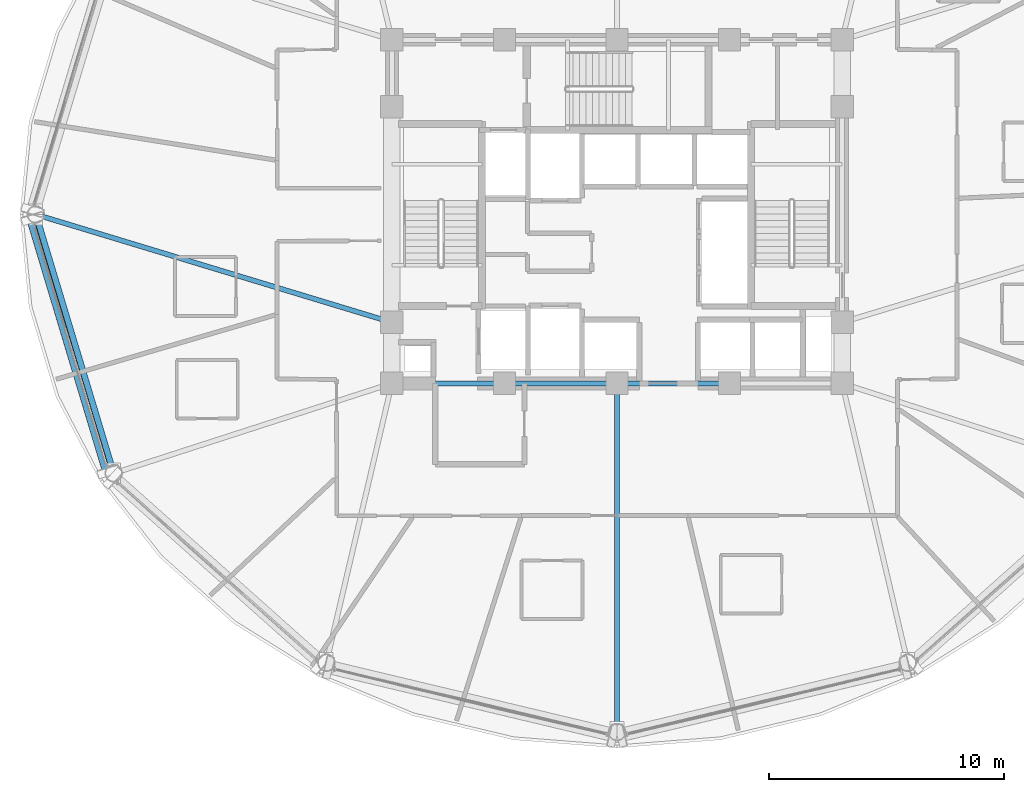
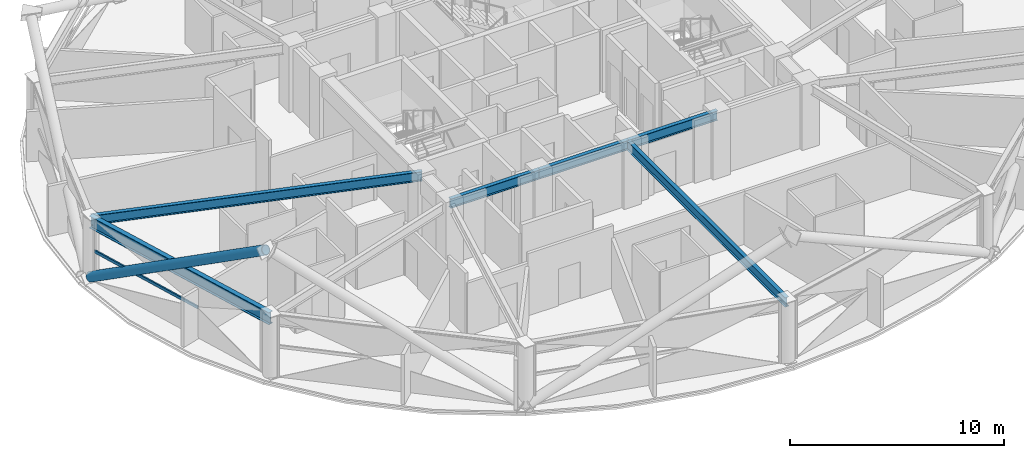
# One storey, part 5 of 29: 6 beams, 2 members, 1 element without a shape of its own.
"""IFC4 building model written with IfcOpenShell, lengths in metres."""

import ifcopenshell
import ifcopenshell.guid

model = None  # the IFC model being written
_history = None  # IfcOwnerHistory: only IFC2X3 demands one
_inside = {}  # id of a spatial element -> (the spatial element, [elements in it])
_under = {}  # id of a project, library or spatial element -> (it, [spatial elements below it])
_declared = {}  # id of a project -> (the project, [libraries it declares])
_typed = {}  # id of a type object -> (the type object, [elements of that type])
_made_of = {}  # id of a material, layer set ... -> (it, [elements and type objects made of it])


def new_model(schema):
    """Start an empty IFC model of exactly this schema.

    Asked for "IFC4X3", IfcOpenShell would pick the latest addendum, in which some entities
    have other attributes; the version numbers below select the first issue.
    IFC2X3 requires an IfcOwnerHistory on every rooted entity: one is made here for all.
    """
    global model, _history
    if schema == "IFC4X3":
        model = ifcopenshell.file(schema_version=(4, 3, 0, 0))
    else:
        model = ifcopenshell.file(schema=schema)
    _inside.clear()
    _under.clear()
    _declared.clear()
    _typed.clear()
    _made_of.clear()
    _history = None
    if model.schema == "IFC2X3":
        org = make("IfcOrganization", Name="unknown")
        user = make(
            "IfcPersonAndOrganization",
            ThePerson=make("IfcPerson", FamilyName="unknown"),
            TheOrganization=org,
        )
        app = make(
            "IfcApplication",
            ApplicationDeveloper=org,
            Version="unknown",
            ApplicationFullName="unknown",
            ApplicationIdentifier="unknown",
        )
        _history = make(
            "IfcOwnerHistory",
            OwningUser=user,
            OwningApplication=app,
            ChangeAction="ADDED",
            CreationDate=0,
        )
    return model


def make(cls, **values):
    """One entity of the class cls with the attributes given. An attribute that is None is left unset."""
    return model.create_entity(
        cls, **{name: value for name, value in values.items() if value is not None}
    )


def rooted(cls, **values):
    """An entity with a GlobalId (a new one), such as an element, a storey or a relation."""
    return make(cls, GlobalId=ifcopenshell.guid.new(), OwnerHistory=_history, **values)


def si_unit(unit_type, name, prefix=None):
    """IfcSIUnit, for example si_unit("LENGTHUNIT", "METRE", prefix="MILLI")."""
    return make("IfcSIUnit", UnitType=unit_type, Prefix=prefix, Name=name)


def assignment(units):
    """IfcUnitAssignment: the units of a project."""
    return None if units is None else make("IfcUnitAssignment", Units=units)


def point(xyz):
    """IfcCartesianPoint."""
    return None if xyz is None else make("IfcCartesianPoint", Coordinates=xyz)


def direction(xyz):
    """IfcDirection."""
    return None if xyz is None else make("IfcDirection", DirectionRatios=xyz)


def frame(location, z_axis=None, x_axis=None):
    """IfcAxis2Placement3D, a coordinate frame: its origin and axes. An axis left out is left unset."""
    return make(
        "IfcAxis2Placement3D",
        Location=point(location),
        Axis=direction(z_axis),
        RefDirection=direction(x_axis),
    )


def frame_2d(location, x_axis=None):
    """IfcAxis2Placement2D, a coordinate frame in the plane: its origin and x axis."""
    return make(
        "IfcAxis2Placement2D", Location=point(location), RefDirection=direction(x_axis)
    )


def origin():
    """The frame at (0, 0, 0) with its axes left unset."""
    return frame((0.0, 0.0, 0.0))


def origin_2d():
    """The frame at (0, 0) in the plane with its x axis left unset."""
    return frame_2d((0.0, 0.0))


def place(relative_to, where):
    """IfcLocalPlacement: puts the frame where relative to a parent placement (None: the world)."""
    return make(
        "IfcLocalPlacement", PlacementRelTo=relative_to, RelativePlacement=where
    )


def context(
    kind, dimensions, precision=None, world=None, true_north=None, identifier=None
):
    """IfcGeometricRepresentationContext, for example the 3D "Model" context."""
    return make(
        "IfcGeometricRepresentationContext",
        ContextIdentifier=identifier,
        ContextType=kind,
        CoordinateSpaceDimension=dimensions,
        Precision=precision,
        WorldCoordinateSystem=world,
        TrueNorth=true_north,
    )


def subcontext(parent, identifier, kind, view, scale=None):
    """IfcGeometricRepresentationSubContext, for example "Body" below "Model"."""
    return make(
        "IfcGeometricRepresentationSubContext",
        ContextIdentifier=identifier,
        ContextType=kind,
        ParentContext=parent,
        TargetScale=scale,
        TargetView=view,
    )


def project(units=None, contexts=None):
    """IfcProject with its units and contexts."""
    return rooted(
        "IfcProject",
        Name="project",
        RepresentationContexts=contexts,
        UnitsInContext=assignment(units),
    )


def spatial(cls, under=None, at=None, **own):
    """A site, building, storey or space (cls), placed at a placement, below another one or the project."""
    s = rooted(cls, ObjectPlacement=at, **own)
    if under is not None:
        _under.setdefault(under.id(), (under, []))[1].append(s)
    return s


def profile(cls, at=None, kind="AREA", **sizes):
    """A parametric profile (cls). Its sizes go by their IFC names, for example OverallWidth=200.0."""
    return make(cls, ProfileType=kind, Position=at, **sizes)


def hollow_rectangle(**sizes):
    """IfcRectangleHollowProfileDef."""
    return profile("IfcRectangleHollowProfileDef", **sizes)


def hollow_circle(**sizes):
    """IfcCircleHollowProfileDef."""
    return profile("IfcCircleHollowProfileDef", **sizes)


def i_section(**sizes):
    """IfcIShapeProfileDef."""
    return profile("IfcIShapeProfileDef", **sizes)


def extrude(swept, where, along, depth):
    """IfcExtrudedAreaSolid: the profile swept, set in the frame where, extruded along a direction by depth."""
    return make(
        "IfcExtrudedAreaSolid",
        SweptArea=swept,
        Position=where,
        ExtrudedDirection=direction(along),
        Depth=depth,
    )


def shape(context_of_items, identifier, shape_type, items):
    """IfcShapeRepresentation: the items that make up one representation, for example the "Body"."""
    return make(
        "IfcShapeRepresentation",
        ContextOfItems=context_of_items,
        RepresentationIdentifier=identifier,
        RepresentationType=shape_type,
        Items=items,
    )


def material(Name=None, Category=None):
    """IfcMaterial."""
    return make("IfcMaterial", Name=Name, Category=Category)


def layer(
    of_material, thickness, ventilated=None, Name=None, Category=None, Priority=None
):
    """IfcMaterialLayer: one layer of a wall or slab, of a material (None: an air gap)."""
    return make(
        "IfcMaterialLayer",
        Material=of_material,
        LayerThickness=thickness,
        IsVentilated=ventilated,
        Name=Name,
        Category=Category,
        Priority=Priority,
    )


def layer_set(layers, Name=None):
    """IfcMaterialLayerSet."""
    return make("IfcMaterialLayerSet", MaterialLayers=layers, LayerSetName=Name)


def material_profile(
    of_material, cross_section, Name=None, Category=None, Priority=None
):
    """IfcMaterialProfile: a cross section and its material."""
    return make(
        "IfcMaterialProfile",
        Name=Name,
        Material=of_material,
        Profile=cross_section,
        Priority=Priority,
        Category=Category,
    )


def profile_set(profiles, Name=None, composite=None):
    """IfcMaterialProfileSet."""
    return make(
        "IfcMaterialProfileSet",
        Name=Name,
        MaterialProfiles=profiles,
        CompositeProfile=composite,
    )


def made_of(thing, what):
    """Note that an element or type object is made of a material, layer set ...; save() writes the relation."""
    if what is not None:
        _made_of.setdefault(what.id(), (what, []))[1].append(thing)
    return thing


def type_object(cls, material=None, **own):
    """A type object (cls), such as IfcWallType, which elements share."""
    return made_of(rooted(cls, **own), material)


def element(
    cls,
    number,
    at=None,
    inside=None,
    cuts=None,
    type_object=None,
    material=None,
    context=None,
    identifier="Body",
    shape_type=None,
    held_by="IfcProductDefinitionShape",
    body=None,
    shapes=None,
    **own,
):
    """One element of the class cls, such as IfcWall. Its Tag is "e" and its number.

    at: its placement. inside: the storey or other place that contains it. cuts: it is an
    opening in that element (IfcRelVoidsElement). A single representation is given by context,
    identifier, shape_type and body (its items); several are given by shapes. held_by: the class
    of the entity that holds the representations. save() writes the other relations.
    """
    e = rooted(cls, Tag="e%d" % number, ObjectPlacement=at, **own)
    if body is not None:
        shapes = [shape(context, identifier, shape_type, body)]
    if shapes is not None:
        e.Representation = make(held_by, Representations=shapes)
    if inside is not None:
        _inside.setdefault(inside.id(), (inside, []))[1].append(e)
    if cuts is not None:
        rooted(
            "IfcRelVoidsElement", RelatingBuildingElement=cuts, RelatedOpeningElement=e
        )
    if type_object is not None:
        _typed.setdefault(type_object.id(), (type_object, []))[1].append(e)
    return made_of(e, material)


def aggregate(whole, parts):
    """IfcRelAggregates: a whole, such as a stair, and the parts it consists of."""
    return rooted("IfcRelAggregates", RelatingObject=whole, RelatedObjects=parts)


def save(model, path):
    """Write the relations noted so far, then the file.

    IfcRelAggregates (storeys below a building ...), IfcRelContainedInSpatialStructure (elements
    in a storey), IfcRelDefinesByType, IfcRelAssociatesMaterial and IfcRelDeclares: one each for
    every whole, place, type object, material and project.
    """
    for whole, parts in _under.values():
        aggregate(whole, parts)
    for where, things in _inside.values():
        rooted(
            "IfcRelContainedInSpatialStructure",
            RelatedElements=things,
            RelatingStructure=where,
        )
    for kind, things in _typed.values():
        rooted("IfcRelDefinesByType", RelatedObjects=things, RelatingType=kind)
    for what, things in _made_of.values():
        rooted("IfcRelAssociatesMaterial", RelatedObjects=things, RelatingMaterial=what)
    for by, libraries in _declared.values():
        rooted("IfcRelDeclares", RelatingContext=by, RelatedDefinitions=libraries)
    model.write(path)


model = new_model("IFC4")

# Units and contexts
model_context = context("Model", 3, precision=1e-05, world=origin(), true_north=direction((0.0, 1.0)))
body_context = subcontext(model_context, "Body", "Model", "MODEL_VIEW")
ifc_project = project(units=[si_unit("LENGTHUNIT", "METRE"), si_unit("AREAUNIT", "SQUARE_METRE"), si_unit("VOLUMEUNIT", "CUBIC_METRE"), si_unit("PLANEANGLEUNIT", "RADIAN"), si_unit("MASSUNIT", "GRAM", prefix="KILO")], contexts=[model_context])

# Site, building, storey
site_placement = place(None, origin())
site = spatial("IfcSite", under=ifc_project, at=site_placement, CompositionType="ELEMENT")
building_placement = place(site_placement, origin())
building = spatial("IfcBuilding", under=site, at=building_placement, Name="Vantalir Tower", CompositionType="ELEMENT")
storey_placement = place(building_placement, frame((0.0, 0.0, 149.699951171875)))
storey = spatial("IfcBuildingStorey", under=building, at=storey_placement, Name="L37", CompositionType="ELEMENT", Elevation=149.699951171875)

# Beams
ifc_material_1 = material(Name="Steel S355", Category="steel")
ifc_material_profile_1 = material_profile(ifc_material_1, i_section(OverallWidth=0.2109375, OverallDepth=0.5390625, WebThickness=0.01171875, FlangeThickness=0.018798828125, at=origin_2d()), Name="Steel S355")
ifc_profile_set_1 = profile_set([ifc_material_profile_1], Name="Steel S355")
beam_type_1 = type_object("IfcBeamType", Name="BM-RB-533x210", PredefinedType="BEAM", material=ifc_profile_set_1)
for number, where, z_axis, x_axis, name in (
    (1, (21.89990234375, 17.800048828125, 3.301025390625), (1.0, 0.0, 0.0), (0.0, 1.0, 0.0), "L37 Core Coupling Girder 01"),
    (2, (26.699951171875, 17.800048828125, 3.301025390625), (1.0, 0.0, 0.0), (0.0, 1.0, 0.0), "L37 Core Coupling Girder 02"),
    (3, (31.5, 17.800048828125, 3.301025390625), (1.0, 0.0, 0.0), (0.0, 1.0, 0.0), "L37 Core Coupling Girder 03"),
):
    element("IfcBeam", number, at=place(storey_placement, frame(where, z_axis=z_axis, x_axis=x_axis)), inside=storey, type_object=beam_type_1, Name=name, PredefinedType="BEAM", context=body_context, shape_type="SweptSolid", body=[
        extrude(i_section(OverallWidth=0.2109375, OverallDepth=0.5390625, WebThickness=0.01171875, FlangeThickness=0.018798828125, at=origin_2d()), origin(), (0.0, 0.0, 1.0), 4.800048828125),
    ])
beam_1_placement = place(storey_placement, frame((6.717041015625, 25.0, 3.301025390625), z_axis=(0.957037864084, -0.289962974723, 0.0), x_axis=(0.289962974723, 0.957037864084, 0.0)))
element("IfcBeam", 4, at=beam_1_placement, inside=storey, type_object=beam_type_1, Name="L37 Radial Floor Beam 07", PredefinedType="BEAM", context=body_context, shape_type="SweptSolid", body=[
    extrude(i_section(OverallWidth=0.2109375, OverallDepth=0.5390625, WebThickness=0.01171875, FlangeThickness=0.018798828125, at=origin_2d()), origin(), (0.0, 0.0, 1.0), 15.864501953125),
])
beam_2_placement = place(storey_placement, frame((31.5, 2.930908203125, 3.301025390625), z_axis=(0.0, 1.0, 0.0), x_axis=(-1.0, 0.0, 0.0)))
element("IfcBeam", 5, at=beam_2_placement, inside=storey, type_object=beam_type_1, Name="L37 Radial Floor Beam 10", PredefinedType="BEAM", context=body_context, shape_type="SweptSolid", body=[
    extrude(i_section(OverallWidth=0.2109375, OverallDepth=0.5390625, WebThickness=0.01171875, FlangeThickness=0.018798828125, at=origin_2d()), origin(), (0.0, 0.0, 1.0), 14.869140625),
])
ifc_material_2 = material(Name="Steel S460", Category="steel")
ifc_material_profile_2 = material_profile(ifc_material_2, i_section(OverallWidth=0.256103515625, OverallDepth=0.693115234375, WebThickness=0.014404296875, FlangeThickness=0.023681640625, at=origin_2d()), Name="Steel S460")
ifc_profile_set_2 = profile_set([ifc_material_profile_2], Name="Steel S460")
beam_type_2 = type_object("IfcBeamType", Name="BM-RG-686x254", PredefinedType="USERDEFINED", material=ifc_profile_set_2)
beam_3_placement = place(storey_placement, frame((6.717041015625, 25.0, 3.22412109375), z_axis=(0.288111665009, -0.95759681938, 0.0), x_axis=(0.95759681938, 0.288111665009, 0.0)))
element("IfcBeam", 6, at=beam_3_placement, inside=storey, type_object=beam_type_2, Name="L37 Circumferential Ring Girder 07", ObjectType="GIRDER", PredefinedType="USERDEFINED", context=body_context, shape_type="SweptSolid", body=[
    extrude(i_section(OverallWidth=0.256103515625, OverallDepth=0.693115234375, WebThickness=0.014404296875, FlangeThickness=0.023681640625, at=origin_2d()), origin(), (0.0, 0.0, 1.0), 11.5234375),
])

# Curtain wall, member
ifc_material_3 = material(Name="Champagne-silver PVDF aluminium and double-silver Low-E glass", Category="aluminium")
ifc_layer = layer(ifc_material_3, 0.199951171875)
ifc_layer_set = layer_set([ifc_layer], Name="Champagne-silver PVDF aluminium and double-silver Low-E glass")
curtain_wall_type = type_object("IfcCurtainWallType", Name="CW-DIAMOND-Z2", PredefinedType="USERDEFINED", material=ifc_layer_set)
curtain_wall_placement = place(storey_placement, origin())
curtain_wall = element("IfcCurtainWall", 7, at=curtain_wall_placement, inside=storey, type_object=curtain_wall_type, Name="L37 Quilted Pyramid-Diamond Curtain Wall S07", ObjectType="UNITISED CURTAIN WALL", PredefinedType="USERDEFINED")
ifc_material_4 = material(Name="Champagne-silver PVDF aluminium 6063-T6", Category="aluminium")
ifc_material_profile_3 = material_profile(ifc_material_4, hollow_rectangle(XDim=0.074951171875, YDim=0.159912109375, WallThickness=0.00390625, at=origin_2d()), Name="Champagne-silver PVDF aluminium 6063-T6")
ifc_profile_set_3 = profile_set([ifc_material_profile_3], Name="Champagne-silver PVDF aluminium 6063-T6")
member_type_1 = type_object("IfcMemberType", Name="CWT-160x75", PredefinedType="USERDEFINED", material=ifc_profile_set_3)
member_1_placement = place(storey_placement, frame((6.654052734375, 24.5791015625, 1.78515625), z_axis=(0.284390360169, -0.958708570444, 0.0), x_axis=(0.958708570444, 0.284390360169, 0.0)))
member_1 = element("IfcMember", 8, at=member_1_placement, type_object=member_type_1, Name="CW-L37-S07 Pyramid Fold Ridge Transom", ObjectType="TRANSOM", PredefinedType="USERDEFINED", context=body_context, shape_type="SweptSolid", body=[
    extrude(hollow_rectangle(XDim=0.074951171875, YDim=0.159912109375, WallThickness=0.00390625, at=origin_2d()), origin(), (0.0, 0.0, 1.0), 6.659912109375),
])
aggregate(curtain_wall, [member_1])

# Member
ifc_material_profile_4 = material_profile(ifc_material_2, hollow_circle(Radius=0.260009765625, WallThickness=0.0380859375, at=origin_2d()), Name="Steel S460")
ifc_profile_set_4 = profile_set([ifc_material_profile_4], Name="Steel S460")
member_type_2 = type_object("IfcMemberType", Name="MEM-DB-520x38", PredefinedType="BRACE", material=ifc_profile_set_4)
member_2_placement = place(storey_placement, frame((6.5810546875, 24.821044921875, 0.195068359375), z_axis=(0.245091963513, -0.815347026625, 0.524537086958), x_axis=(0.957668431163, 0.287873541601, 0.0)))
element("IfcMember", 9, at=member_2_placement, inside=storey, type_object=member_type_2, Name="L37 Perimeter S460 Diagrid Brace R19L", PredefinedType="BRACE", context=body_context, shape_type="SweptSolid", body=[
    extrude(hollow_circle(Radius=0.260009765625, WallThickness=0.0380859375, at=origin_2d()), origin(), (0.0, 0.0, 1.0), 13.21142578125),
])

save(model, "model.ifc")
